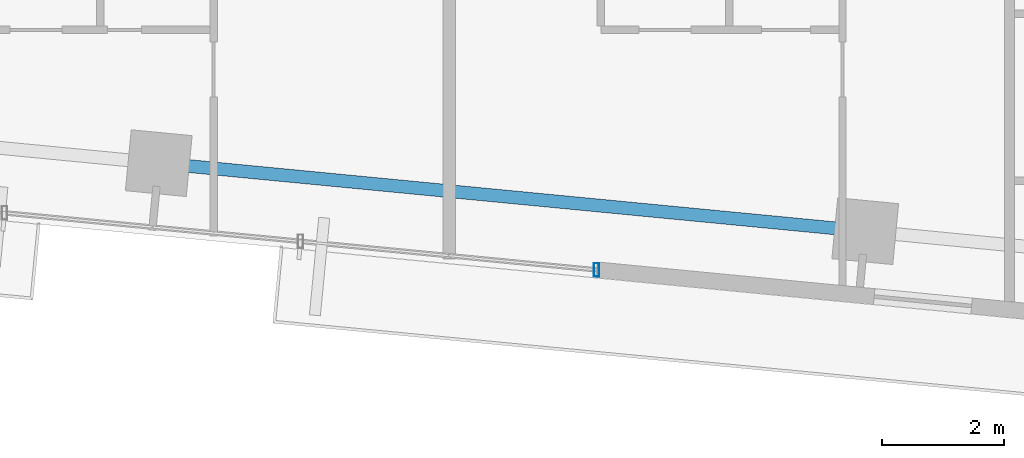
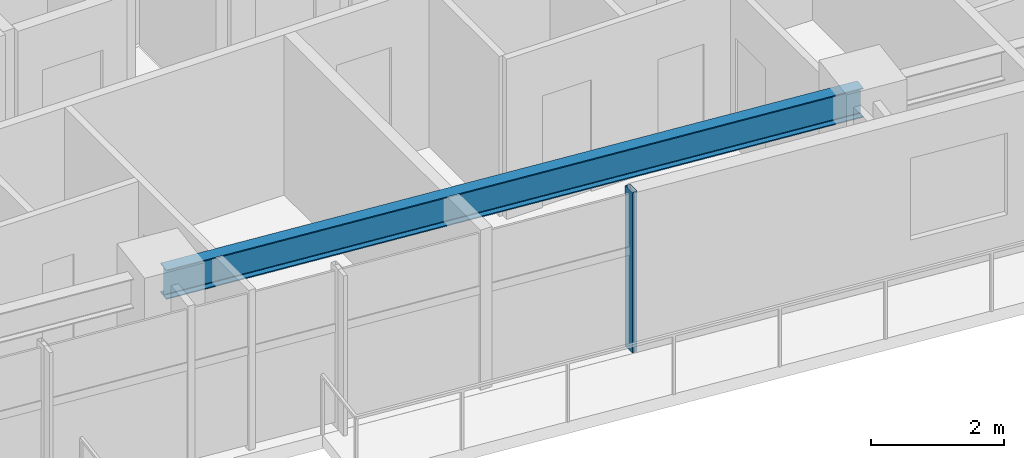
# One storey, part 9 of 20: 1 beam, 1 member, 1 element without a shape of its own.
"""IFC4 building model written with IfcOpenShell, lengths in metres."""

import ifcopenshell
import ifcopenshell.guid

model = None  # the IFC model being written
_history = None  # IfcOwnerHistory: only IFC2X3 demands one
_inside = {}  # id of a spatial element -> (the spatial element, [elements in it])
_under = {}  # id of a project, library or spatial element -> (it, [spatial elements below it])
_declared = {}  # id of a project -> (the project, [libraries it declares])
_typed = {}  # id of a type object -> (the type object, [elements of that type])
_made_of = {}  # id of a material, layer set ... -> (it, [elements and type objects made of it])


def new_model(schema):
    """Start an empty IFC model of exactly this schema.

    Asked for "IFC4X3", IfcOpenShell would pick the latest addendum, in which some entities
    have other attributes; the version numbers below select the first issue.
    IFC2X3 requires an IfcOwnerHistory on every rooted entity: one is made here for all.
    """
    global model, _history
    if schema == "IFC4X3":
        model = ifcopenshell.file(schema_version=(4, 3, 0, 0))
    else:
        model = ifcopenshell.file(schema=schema)
    _inside.clear()
    _under.clear()
    _declared.clear()
    _typed.clear()
    _made_of.clear()
    _history = None
    if model.schema == "IFC2X3":
        org = make("IfcOrganization", Name="unknown")
        user = make(
            "IfcPersonAndOrganization",
            ThePerson=make("IfcPerson", FamilyName="unknown"),
            TheOrganization=org,
        )
        app = make(
            "IfcApplication",
            ApplicationDeveloper=org,
            Version="unknown",
            ApplicationFullName="unknown",
            ApplicationIdentifier="unknown",
        )
        _history = make(
            "IfcOwnerHistory",
            OwningUser=user,
            OwningApplication=app,
            ChangeAction="ADDED",
            CreationDate=0,
        )
    return model


def make(cls, **values):
    """One entity of the class cls with the attributes given. An attribute that is None is left unset."""
    return model.create_entity(
        cls, **{name: value for name, value in values.items() if value is not None}
    )


def rooted(cls, **values):
    """An entity with a GlobalId (a new one), such as an element, a storey or a relation."""
    return make(cls, GlobalId=ifcopenshell.guid.new(), OwnerHistory=_history, **values)


def si_unit(unit_type, name, prefix=None):
    """IfcSIUnit, for example si_unit("LENGTHUNIT", "METRE", prefix="MILLI")."""
    return make("IfcSIUnit", UnitType=unit_type, Prefix=prefix, Name=name)


def assignment(units):
    """IfcUnitAssignment: the units of a project."""
    return None if units is None else make("IfcUnitAssignment", Units=units)


def point(xyz):
    """IfcCartesianPoint."""
    return None if xyz is None else make("IfcCartesianPoint", Coordinates=xyz)


def direction(xyz):
    """IfcDirection."""
    return None if xyz is None else make("IfcDirection", DirectionRatios=xyz)


def frame(location, z_axis=None, x_axis=None):
    """IfcAxis2Placement3D, a coordinate frame: its origin and axes. An axis left out is left unset."""
    return make(
        "IfcAxis2Placement3D",
        Location=point(location),
        Axis=direction(z_axis),
        RefDirection=direction(x_axis),
    )


def frame_2d(location, x_axis=None):
    """IfcAxis2Placement2D, a coordinate frame in the plane: its origin and x axis."""
    return make(
        "IfcAxis2Placement2D", Location=point(location), RefDirection=direction(x_axis)
    )


def origin():
    """The frame at (0, 0, 0) with its axes left unset."""
    return frame((0.0, 0.0, 0.0))


def origin_2d():
    """The frame at (0, 0) in the plane with its x axis left unset."""
    return frame_2d((0.0, 0.0))


def place(relative_to, where):
    """IfcLocalPlacement: puts the frame where relative to a parent placement (None: the world)."""
    return make(
        "IfcLocalPlacement", PlacementRelTo=relative_to, RelativePlacement=where
    )


def context(
    kind, dimensions, precision=None, world=None, true_north=None, identifier=None
):
    """IfcGeometricRepresentationContext, for example the 3D "Model" context."""
    return make(
        "IfcGeometricRepresentationContext",
        ContextIdentifier=identifier,
        ContextType=kind,
        CoordinateSpaceDimension=dimensions,
        Precision=precision,
        WorldCoordinateSystem=world,
        TrueNorth=true_north,
    )


def subcontext(parent, identifier, kind, view, scale=None):
    """IfcGeometricRepresentationSubContext, for example "Body" below "Model"."""
    return make(
        "IfcGeometricRepresentationSubContext",
        ContextIdentifier=identifier,
        ContextType=kind,
        ParentContext=parent,
        TargetScale=scale,
        TargetView=view,
    )


def project(units=None, contexts=None):
    """IfcProject with its units and contexts."""
    return rooted(
        "IfcProject",
        Name="project",
        RepresentationContexts=contexts,
        UnitsInContext=assignment(units),
    )


def spatial(cls, under=None, at=None, **own):
    """A site, building, storey or space (cls), placed at a placement, below another one or the project."""
    s = rooted(cls, ObjectPlacement=at, **own)
    if under is not None:
        _under.setdefault(under.id(), (under, []))[1].append(s)
    return s


def profile(cls, at=None, kind="AREA", **sizes):
    """A parametric profile (cls). Its sizes go by their IFC names, for example OverallWidth=200.0."""
    return make(cls, ProfileType=kind, Position=at, **sizes)


def hollow_rectangle(**sizes):
    """IfcRectangleHollowProfileDef."""
    return profile("IfcRectangleHollowProfileDef", **sizes)


def i_section(**sizes):
    """IfcIShapeProfileDef."""
    return profile("IfcIShapeProfileDef", **sizes)


def extrude(swept, where, along, depth):
    """IfcExtrudedAreaSolid: the profile swept, set in the frame where, extruded along a direction by depth."""
    return make(
        "IfcExtrudedAreaSolid",
        SweptArea=swept,
        Position=where,
        ExtrudedDirection=direction(along),
        Depth=depth,
    )


def shape(context_of_items, identifier, shape_type, items):
    """IfcShapeRepresentation: the items that make up one representation, for example the "Body"."""
    return make(
        "IfcShapeRepresentation",
        ContextOfItems=context_of_items,
        RepresentationIdentifier=identifier,
        RepresentationType=shape_type,
        Items=items,
    )


def source(mapping_origin, context_of_items, identifier, shape_type, items):
    """IfcRepresentationMap: a shape defined once, which mapped items show again and again."""
    return make(
        "IfcRepresentationMap",
        MappingOrigin=mapping_origin,
        MappedRepresentation=shape(context_of_items, identifier, shape_type, items),
    )


def transform(
    local_origin,
    x_axis=None,
    y_axis=None,
    z_axis=None,
    scale=None,
    scale2=None,
    scale3=None,
    uniform=True,
):
    """IfcCartesianTransformationOperator3D, or its non-uniform kind. x_axis, y_axis, z_axis: its Axis1, 2, 3."""
    if uniform:
        return make(
            "IfcCartesianTransformationOperator3D",
            Axis1=direction(x_axis),
            Axis2=direction(y_axis),
            LocalOrigin=point(local_origin),
            Scale=scale,
            Axis3=direction(z_axis),
        )
    return make(
        "IfcCartesianTransformationOperator3DnonUniform",
        Axis1=direction(x_axis),
        Axis2=direction(y_axis),
        LocalOrigin=point(local_origin),
        Scale=scale,
        Axis3=direction(z_axis),
        Scale2=scale2,
        Scale3=scale3,
    )


def mapped(mapping_source, mapping_target):
    """IfcMappedItem: shows the shape of a source again, moved by a transform."""
    return make(
        "IfcMappedItem", MappingSource=mapping_source, MappingTarget=mapping_target
    )


def material(Name=None, Category=None):
    """IfcMaterial."""
    return make("IfcMaterial", Name=Name, Category=Category)


def material_profile(
    of_material, cross_section, Name=None, Category=None, Priority=None
):
    """IfcMaterialProfile: a cross section and its material."""
    return make(
        "IfcMaterialProfile",
        Name=Name,
        Material=of_material,
        Profile=cross_section,
        Priority=Priority,
        Category=Category,
    )


def profile_set(profiles, Name=None, composite=None):
    """IfcMaterialProfileSet."""
    return make(
        "IfcMaterialProfileSet",
        Name=Name,
        MaterialProfiles=profiles,
        CompositeProfile=composite,
    )


def made_of(thing, what):
    """Note that an element or type object is made of a material, layer set ...; save() writes the relation."""
    if what is not None:
        _made_of.setdefault(what.id(), (what, []))[1].append(thing)
    return thing


def type_object(cls, material=None, **own):
    """A type object (cls), such as IfcWallType, which elements share."""
    return made_of(rooted(cls, **own), material)


def type_shapes(of_type, sources):
    """Give a type object the sources (RepresentationMaps) that its elements show as mapped items."""
    of_type.RepresentationMaps = sources


def element(
    cls,
    number,
    at=None,
    inside=None,
    cuts=None,
    type_object=None,
    material=None,
    context=None,
    identifier="Body",
    shape_type=None,
    held_by="IfcProductDefinitionShape",
    body=None,
    shapes=None,
    **own,
):
    """One element of the class cls, such as IfcWall. Its Tag is "e" and its number.

    at: its placement. inside: the storey or other place that contains it. cuts: it is an
    opening in that element (IfcRelVoidsElement). A single representation is given by context,
    identifier, shape_type and body (its items); several are given by shapes. held_by: the class
    of the entity that holds the representations. save() writes the other relations.
    """
    e = rooted(cls, Tag="e%d" % number, ObjectPlacement=at, **own)
    if body is not None:
        shapes = [shape(context, identifier, shape_type, body)]
    if shapes is not None:
        e.Representation = make(held_by, Representations=shapes)
    if inside is not None:
        _inside.setdefault(inside.id(), (inside, []))[1].append(e)
    if cuts is not None:
        rooted(
            "IfcRelVoidsElement", RelatingBuildingElement=cuts, RelatedOpeningElement=e
        )
    if type_object is not None:
        _typed.setdefault(type_object.id(), (type_object, []))[1].append(e)
    return made_of(e, material)


def aggregate(whole, parts):
    """IfcRelAggregates: a whole, such as a stair, and the parts it consists of."""
    return rooted("IfcRelAggregates", RelatingObject=whole, RelatedObjects=parts)


def save(model, path):
    """Write the relations noted so far, then the file.

    IfcRelAggregates (storeys below a building ...), IfcRelContainedInSpatialStructure (elements
    in a storey), IfcRelDefinesByType, IfcRelAssociatesMaterial and IfcRelDeclares: one each for
    every whole, place, type object, material and project.
    """
    for whole, parts in _under.values():
        aggregate(whole, parts)
    for where, things in _inside.values():
        rooted(
            "IfcRelContainedInSpatialStructure",
            RelatedElements=things,
            RelatingStructure=where,
        )
    for kind, things in _typed.values():
        rooted("IfcRelDefinesByType", RelatedObjects=things, RelatingType=kind)
    for what, things in _made_of.values():
        rooted("IfcRelAssociatesMaterial", RelatedObjects=things, RelatingMaterial=what)
    for by, libraries in _declared.values():
        rooted("IfcRelDeclares", RelatingContext=by, RelatedDefinitions=libraries)
    model.write(path)


model = new_model("IFC4")

# Units and contexts
model_context = context("Model", 3, precision=1e-05, world=origin(), true_north=direction((0.0, 1.0)))
body_context = subcontext(model_context, "Body", "Model", "MODEL_VIEW")
ifc_project = project(units=[si_unit("LENGTHUNIT", "METRE"), si_unit("AREAUNIT", "SQUARE_METRE"), si_unit("VOLUMEUNIT", "CUBIC_METRE"), si_unit("PLANEANGLEUNIT", "RADIAN"), si_unit("MASSUNIT", "GRAM", prefix="KILO")], contexts=[model_context])

# Site, building, storey
site_placement = place(None, origin())
site = spatial("IfcSite", under=ifc_project, at=site_placement, CompositionType="ELEMENT")
building_placement = place(site_placement, origin())
building = spatial("IfcBuilding", under=site, at=building_placement, Name="Astriad Promenade Condominiums", CompositionType="ELEMENT")
storey_placement = place(building_placement, frame((0.0, 0.0, 137.39990234375)))
storey = spatial("IfcBuildingStorey", under=building, at=storey_placement, Name="L39", CompositionType="ELEMENT", Elevation=137.39990234375)

# Beam
ifc_material_1 = material(Name="Steel ASTM A992 Grade 50", Category="steel")
ifc_material_profile_1 = material_profile(ifc_material_1, i_section(OverallWidth=0.210693359375, OverallDepth=0.53955078125, WebThickness=0.01171875, FlangeThickness=0.018798828125, FilletRadius=0.0166015625, at=origin_2d()), Name="W21X73")
ifc_profile_set_1 = profile_set([ifc_material_profile_1], Name="Steel ASTM A992 Grade 50")
beam_type = type_object("IfcBeamType", Name="STEEL SPANDREL BEAM W21X73", PredefinedType="SPANDREL", material=ifc_profile_set_1)
shared_shape_1 = source(origin(), body_context, "Body", "SweptSolid", [
    extrude(i_section(OverallWidth=0.210693359375, OverallDepth=0.53955078125, WebThickness=0.01171875, FlangeThickness=0.018798828125, FilletRadius=0.0166015625, at=origin_2d()), origin(), (0.0, 0.0, 1.0), 11.52001953125),
])
type_shapes(beam_type, [shared_shape_1])
beam_placement = place(storey_placement, frame((32.013671875, 8.2158203125, 2.67041015625), z_axis=(0.995397412028, -0.095833147335, 0.0), x_axis=(0.095833147335, 0.995397412028, 0.0)))
element("IfcBeam", 1, at=beam_placement, inside=storey, type_object=beam_type, Name="Perimeter Spandrel Beam SP-S3-L39", PredefinedType="SPANDREL", context=body_context, shape_type="MappedRepresentation", body=[
    mapped(shared_shape_1, transform((0.0, 0.0, 0.0), scale=1.0)),
])

# Curtain wall, member
ifc_material_2 = material(Name="Anodised aluminium Black Dark Glass Unitised", Category="aluminium")
curtain_wall_type = type_object("IfcCurtainWallType", Name="CW-B34-DARK", PredefinedType="USERDEFINED", material=ifc_material_2)
curtain_wall_placement = place(storey_placement, origin())
curtain_wall = element("IfcCurtainWall", 2, at=curtain_wall_placement, inside=storey, type_object=curtain_wall_type, Name="CW-L39-S", ObjectType="UNITISED_CURTAIN_WALL", PredefinedType="USERDEFINED")
ifc_material_3 = material(Name="Anodised aluminium 6063-T6 Black", Category="aluminium")
ifc_material_profile_2 = material_profile(ifc_material_3, hollow_rectangle(XDim=0.0849609375, YDim=0.219970703125, WallThickness=0.0048828125, at=origin_2d()), Name="ALU-MUL-85X220")
ifc_profile_set_2 = profile_set([ifc_material_profile_2], Name="Anodised aluminium 6063-T6 Black")
member_type = type_object("IfcMemberType", Name="MUL-ALU-MUL-85X220", PredefinedType="MULLION", material=ifc_profile_set_2)
shared_shape_2 = source(origin(), body_context, "Body", "SweptSolid", [
    extrude(hollow_rectangle(XDim=0.0849609375, YDim=0.219970703125, WallThickness=0.0048828125, at=origin_2d()), origin(), (0.0, 0.0, 1.0), 2.940185546875),
])
type_shapes(member_type, [shared_shape_2])
member_placement = place(storey_placement, frame((39.129638671875, 6.475830078125, 0.0), z_axis=(0.0, 0.0, 1.0), x_axis=(1.0, 0.0, 0.0)))
member = element("IfcMember", 3, at=member_placement, type_object=member_type, Name="CW-L39-S-MUL-00", PredefinedType="MULLION", context=body_context, shape_type="MappedRepresentation", body=[
    mapped(shared_shape_2, transform((0.0, 0.0, 0.0), scale=1.0)),
])
aggregate(curtain_wall, [member])

save(model, "model.ifc")
